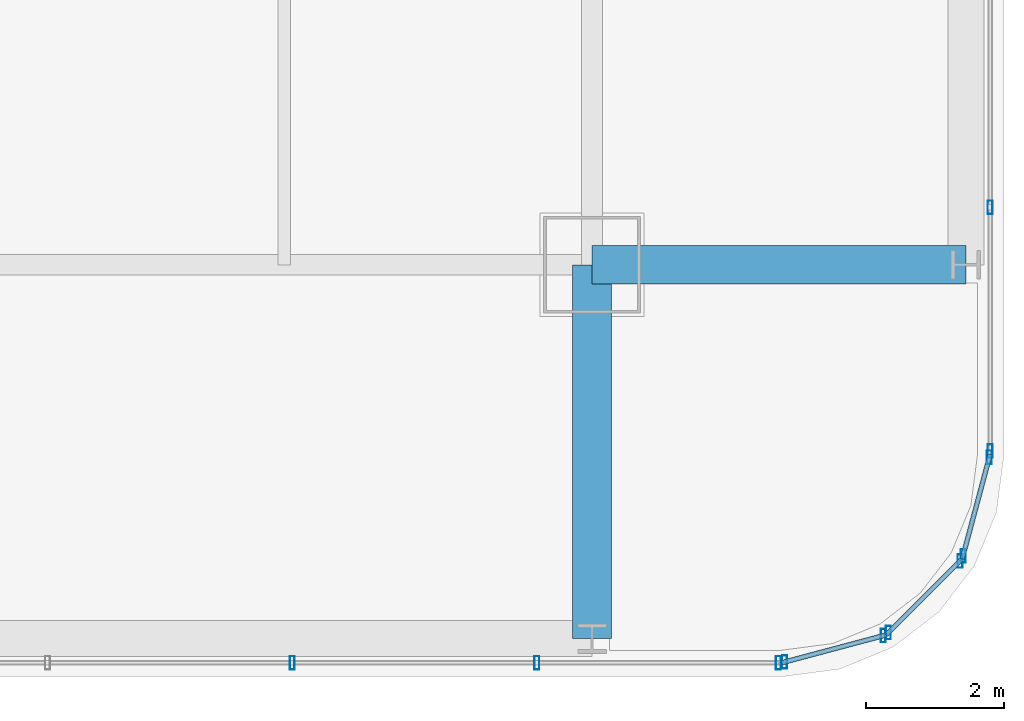
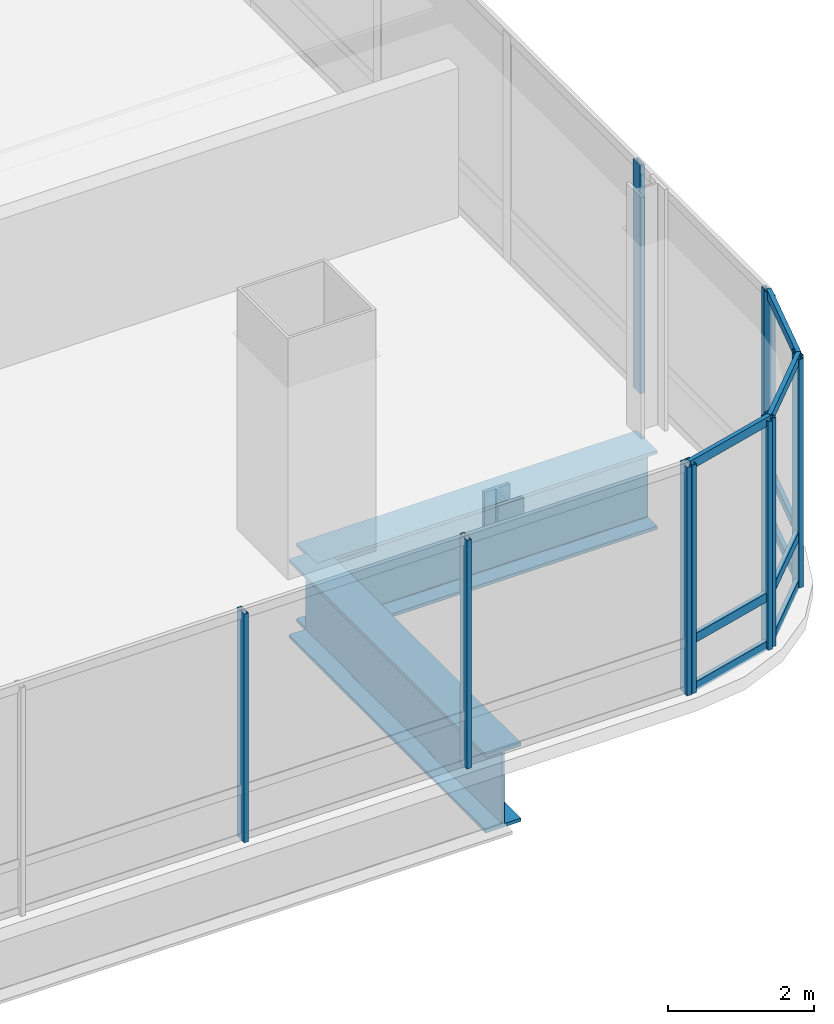
# One storey, part 13 of 35: 20 members, 2 beams, 5 elements without a shape of their own.
"""IFC4 building model written with IfcOpenShell, lengths in metres."""

from ifc_helpers import new_model, si_unit, direction, frame, origin, origin_2d, place, context, subcontext, project, spatial, hollow_rectangle, i_section, extrude, material, material_profile, profile_set, type_object, element, aggregate, save


model = new_model("IFC4")

# Units and contexts
model_context = context("Model", 3, precision=1e-05, world=origin(), true_north=direction((0.0, 1.0)))
body_context = subcontext(model_context, "Body", "Model", "MODEL_VIEW")
ifc_project = project(units=[si_unit("LENGTHUNIT", "METRE"), si_unit("AREAUNIT", "SQUARE_METRE"), si_unit("VOLUMEUNIT", "CUBIC_METRE"), si_unit("PLANEANGLEUNIT", "RADIAN"), si_unit("MASSUNIT", "GRAM", prefix="KILO")], contexts=[model_context])

# Site, building, storey
site_placement = place(None, origin())
site = spatial("IfcSite", under=ifc_project, at=site_placement, CompositionType="ELEMENT")
building_placement = place(site_placement, origin())
building = spatial("IfcBuilding", under=site, at=building_placement, Name="Punatoya Terracotta Tower", CompositionType="ELEMENT")
storey_placement = place(building_placement, frame((0.0, 0.0, 216.75)))
storey = spatial("IfcBuildingStorey", under=building, at=storey_placement, Name="L51", CompositionType="ELEMENT", Elevation=216.75)

# Beams
ifc_material_1 = material(Name="Steel S460", Category="steel")
ifc_material_profile_1 = material_profile(ifc_material_1, i_section(OverallWidth=0.56005859375, OverallDepth=1.320068359375, WebThickness=0.035888671875, FlangeThickness=0.054931640625, FilletRadius=0.01806640625, at=origin_2d()))
ifc_profile_set_1 = profile_set([ifc_material_profile_1], Name="Steel S460")
beam_type = type_object("IfcBeamType", Name="BM-TG-BLK", PredefinedType="BEAM", material=ifc_profile_set_1)
for number, where, z_axis, x_axis, name in (
    (1, (19.10009765625, -17.5, -0.8798828125), (1.0, 0.0, 0.0), (0.0, 1.0, 0.0), "BM-L51-CANT-E1"),
    (2, (19.10009765625, -22.89990234375, -0.8798828125), (0.0, 1.0, 0.0), (-1.0, 0.0, 0.0), "BM-L51-CANT-S4"),
):
    element("IfcBeam", number, at=place(storey_placement, frame(where, z_axis=z_axis, x_axis=x_axis)), inside=storey, type_object=beam_type, Name=name, PredefinedType="BEAM", context=body_context, shape_type="SweptSolid", body=[
        extrude(i_section(OverallWidth=0.56005859375, OverallDepth=1.320068359375, WebThickness=0.035888671875, FlangeThickness=0.054931640625, FilletRadius=0.01806640625, at=origin_2d()), origin(), (0.0, 0.0, 1.0), 5.39990234375),
    ])

# Curtain wall, members
ifc_material_2 = material(Name="Aluminium 6063-T6 + Double Low-E Glass", Category="aluminium")
curtain_wall_type = type_object("IfcCurtainWallType", Name="CW-M2", PredefinedType="NOTDEFINED", material=ifc_material_2)
curtain_wall_1_placement = place(storey_placement, origin())
curtain_wall_1 = element("IfcCurtainWall", 3, at=curtain_wall_1_placement, inside=storey, type_object=curtain_wall_type, Name="L51 Curtain Wall CW-L51-S01-1", PredefinedType="NOTDEFINED")
ifc_material_3 = material(Name="Aluminium 6063-T6", Category="aluminium")
ifc_material_profile_2 = material_profile(ifc_material_3, hollow_rectangle(XDim=0.072021484375, YDim=0.195068359375, WallThickness=0.00439453125, at=origin_2d()))
ifc_profile_set_2 = profile_set([ifc_material_profile_2], Name="Aluminium 6063-T6")
member_type_1 = type_object("IfcMemberType", Name="CW-MUL-M2", PredefinedType="MULLION", material=ifc_profile_set_2)
member_1_placement = place(storey_placement, frame((14.768798828125, -23.25, 0.0), z_axis=(0.0, 0.0, 1.0), x_axis=(1.0, 0.0, 0.0)))
member_1 = element("IfcMember", 4, at=member_1_placement, type_object=member_type_1, Name="CW-L51-S01-1 Mullion 09", PredefinedType="MULLION", context=body_context, shape_type="SweptSolid", body=[
    extrude(hollow_rectangle(XDim=0.072021484375, YDim=0.195068359375, WallThickness=0.00439453125, at=origin_2d()), origin(), (0.0, 0.0, 1.0), 3.830078125),
])
member_2_placement = place(storey_placement, frame((18.302978515625, -23.25, 0.0), z_axis=(0.0, 0.0, 1.0), x_axis=(1.0, 0.0, 0.0)))
member_2 = element("IfcMember", 5, at=member_2_placement, type_object=member_type_1, Name="CW-L51-S01-1 Mullion 10", PredefinedType="MULLION", context=body_context, shape_type="SweptSolid", body=[
    extrude(hollow_rectangle(XDim=0.072021484375, YDim=0.195068359375, WallThickness=0.00439453125, at=origin_2d()), origin(), (0.0, 0.0, 1.0), 3.830078125),
])
member_3_placement = place(storey_placement, frame((21.7919921875, -23.25, 0.0), z_axis=(0.0, 0.0, 1.0), x_axis=(1.0, 0.0, 0.0)))
member_3 = element("IfcMember", 6, at=member_3_placement, type_object=member_type_1, Name="CW-L51-S01-1 Mullion 11", PredefinedType="MULLION", context=body_context, shape_type="SweptSolid", body=[
    extrude(hollow_rectangle(XDim=0.072021484375, YDim=0.195068359375, WallThickness=0.00439453125, at=origin_2d()), origin(), (0.0, 0.0, 1.0), 3.830078125),
])
aggregate(curtain_wall_1, [member_1, member_2, member_3])

curtain_wall_2_placement = place(storey_placement, origin())
curtain_wall_2 = element("IfcCurtainWall", 7, at=curtain_wall_2_placement, inside=storey, type_object=curtain_wall_type, Name="L51 Curtain Wall CW-L51-CRN02", PredefinedType="NOTDEFINED")
member_4_placement = place(storey_placement, frame((21.88037109375, -23.23828125, 0.0), z_axis=(0.0, 0.0, 1.0), x_axis=(1.0, 0.0, 0.0)))
member_4 = element("IfcMember", 8, at=member_4_placement, type_object=member_type_1, Name="CW-L51-CRN02 Mullion 00", PredefinedType="MULLION", context=body_context, shape_type="SweptSolid", body=[
    extrude(hollow_rectangle(XDim=0.072021484375, YDim=0.195068359375, WallThickness=0.00439453125, at=origin_2d()), origin(), (0.0, 0.0, 1.0), 3.830078125),
])
member_5_placement = place(storey_placement, frame((23.3056640625, -22.858154296875, 0.0), z_axis=(0.0, 0.0, 1.0), x_axis=(1.0, 0.0, 0.0)))
member_5 = element("IfcMember", 9, at=member_5_placement, type_object=member_type_1, Name="CW-L51-CRN02 Mullion 01", PredefinedType="MULLION", context=body_context, shape_type="SweptSolid", body=[
    extrude(hollow_rectangle(XDim=0.072021484375, YDim=0.195068359375, WallThickness=0.00439453125, at=origin_2d()), origin(), (0.0, 0.0, 1.0), 3.830078125),
])

curtain_wall_3_placement = place(storey_placement, origin())
curtain_wall_3 = element("IfcCurtainWall", 10, at=curtain_wall_3_placement, inside=storey, type_object=curtain_wall_type, Name="L51 Curtain Wall CW-L51-CRN03", PredefinedType="NOTDEFINED")
member_6_placement = place(storey_placement, frame((23.380859375, -22.814697265625, 0.0), z_axis=(0.0, 0.0, 1.0), x_axis=(1.0, 0.0, 0.0)))
member_6 = element("IfcMember", 11, at=member_6_placement, type_object=member_type_1, Name="CW-L51-CRN03 Mullion 00", PredefinedType="MULLION", context=body_context, shape_type="SweptSolid", body=[
    extrude(hollow_rectangle(XDim=0.072021484375, YDim=0.195068359375, WallThickness=0.00439453125, at=origin_2d()), origin(), (0.0, 0.0, 1.0), 3.830078125),
])
member_7_placement = place(storey_placement, frame((24.414794921875, -21.781005859375, 0.0), z_axis=(0.0, 0.0, 1.0), x_axis=(1.0, 0.0, 0.0)))
member_7 = element("IfcMember", 12, at=member_7_placement, type_object=member_type_1, Name="CW-L51-CRN03 Mullion 01", PredefinedType="MULLION", context=body_context, shape_type="SweptSolid", body=[
    extrude(hollow_rectangle(XDim=0.072021484375, YDim=0.195068359375, WallThickness=0.00439453125, at=origin_2d()), origin(), (0.0, 0.0, 1.0), 3.830078125),
])

curtain_wall_4_placement = place(storey_placement, origin())
curtain_wall_4 = element("IfcCurtainWall", 13, at=curtain_wall_4_placement, inside=storey, type_object=curtain_wall_type, Name="L51 Curtain Wall CW-L51-CRN04", PredefinedType="NOTDEFINED")
member_8_placement = place(storey_placement, frame((24.458251953125, -21.70556640625, 0.0), z_axis=(0.0, 0.0, 1.0), x_axis=(1.0, 0.0, 0.0)))
member_8 = element("IfcMember", 14, at=member_8_placement, type_object=member_type_1, Name="CW-L51-CRN04 Mullion 00", PredefinedType="MULLION", context=body_context, shape_type="SweptSolid", body=[
    extrude(hollow_rectangle(XDim=0.072021484375, YDim=0.195068359375, WallThickness=0.00439453125, at=origin_2d()), origin(), (0.0, 0.0, 1.0), 3.830078125),
])
member_9_placement = place(storey_placement, frame((24.83837890625, -20.280517578125, 0.0), z_axis=(0.0, 0.0, 1.0), x_axis=(1.0, 0.0, 0.0)))
member_9 = element("IfcMember", 15, at=member_9_placement, type_object=member_type_1, Name="CW-L51-CRN04 Mullion 01", PredefinedType="MULLION", context=body_context, shape_type="SweptSolid", body=[
    extrude(hollow_rectangle(XDim=0.072021484375, YDim=0.195068359375, WallThickness=0.00439453125, at=origin_2d()), origin(), (0.0, 0.0, 1.0), 3.830078125),
])

curtain_wall_5_placement = place(storey_placement, origin())
curtain_wall_5 = element("IfcCurtainWall", 16, at=curtain_wall_5_placement, inside=storey, type_object=curtain_wall_type, Name="L51 Curtain Wall CW-L51-E05-1", PredefinedType="NOTDEFINED")
member_10_placement = place(storey_placement, frame((24.85009765625, -20.19189453125, 0.0), z_axis=(0.0, 0.0, 1.0), x_axis=(1.0, 0.0, 0.0)))
member_10 = element("IfcMember", 17, at=member_10_placement, type_object=member_type_1, Name="CW-L51-E05-1 Mullion 00", PredefinedType="MULLION", context=body_context, shape_type="SweptSolid", body=[
    extrude(hollow_rectangle(XDim=0.072021484375, YDim=0.195068359375, WallThickness=0.00439453125, at=origin_2d()), origin(), (0.0, 0.0, 1.0), 3.830078125),
])
member_11_placement = place(storey_placement, frame((24.85009765625, -16.66943359375, 0.0), z_axis=(0.0, 0.0, 1.0), x_axis=(1.0, 0.0, 0.0)))
member_11 = element("IfcMember", 18, at=member_11_placement, type_object=member_type_1, Name="CW-L51-E05-1 Mullion 01", PredefinedType="MULLION", context=body_context, shape_type="SweptSolid", body=[
    extrude(hollow_rectangle(XDim=0.072021484375, YDim=0.195068359375, WallThickness=0.00439453125, at=origin_2d()), origin(), (0.0, 0.0, 1.0), 3.830078125),
])
aggregate(curtain_wall_5, [member_10, member_11])

# Member
ifc_material_profile_3 = material_profile(ifc_material_3, hollow_rectangle(XDim=0.068115234375, YDim=0.14990234375, WallThickness=0.00390625, at=origin_2d()))
ifc_profile_set_3 = profile_set([ifc_material_profile_3], Name="Aluminium 6063-T6")
member_type_2 = type_object("IfcMemberType", Name="CW-TRN-TYP", PredefinedType="USERDEFINED", material=ifc_profile_set_3)
member_12_placement = place(storey_placement, frame((21.8369140625, -23.25, 0.0400390625), z_axis=(0.966224582397, 0.257701486942, 0.0), x_axis=(-0.257701486942, 0.966224582397, 0.0)))
member_12 = element("IfcMember", 19, at=member_12_placement, type_object=member_type_2, Name="CW-L51-CRN02 Transom 1", ObjectType="TRANSOM", PredefinedType="USERDEFINED", context=body_context, shape_type="SweptSolid", body=[
    extrude(hollow_rectangle(XDim=0.068115234375, YDim=0.14990234375, WallThickness=0.00390625, at=origin_2d()), origin(), (0.0, 0.0, 1.0), 1.565185546875),
])

member_13_placement = place(storey_placement, frame((21.8369140625, -23.25, 0.85009765625), z_axis=(0.966224582397, 0.257701486942, 0.0), x_axis=(-0.257701486942, 0.966224582397, 0.0)))
member_13 = element("IfcMember", 20, at=member_13_placement, type_object=member_type_2, Name="CW-L51-CRN02 Transom 2", ObjectType="TRANSOM", PredefinedType="USERDEFINED", context=body_context, shape_type="SweptSolid", body=[
    extrude(hollow_rectangle(XDim=0.068115234375, YDim=0.14990234375, WallThickness=0.00390625, at=origin_2d()), origin(), (0.0, 0.0, 1.0), 1.565185546875),
])

member_14_placement = place(storey_placement, frame((21.8369140625, -23.25, 3.7900390625), z_axis=(0.966224582397, 0.257701486942, 0.0), x_axis=(-0.257701486942, 0.966224582397, 0.0)))
member_14 = element("IfcMember", 21, at=member_14_placement, type_object=member_type_2, Name="CW-L51-CRN02 Transom 3", ObjectType="TRANSOM", PredefinedType="USERDEFINED", context=body_context, shape_type="SweptSolid", body=[
    extrude(hollow_rectangle(XDim=0.068115234375, YDim=0.14990234375, WallThickness=0.00390625, at=origin_2d()), origin(), (0.0, 0.0, 1.0), 1.565185546875),
])

aggregate(curtain_wall_2, [member_4, member_5, member_12, member_13, member_14])

member_15_placement = place(storey_placement, frame((23.34912109375, -22.8466796875, 0.0400390625), z_axis=(0.707028130747, 0.707185422879, 0.0), x_axis=(-0.707185422879, 0.707028130747, 0.0)))
member_15 = element("IfcMember", 22, at=member_15_placement, type_object=member_type_2, Name="CW-L51-CRN03 Transom 1", ObjectType="TRANSOM", PredefinedType="USERDEFINED", context=body_context, shape_type="SweptSolid", body=[
    extrude(hollow_rectangle(XDim=0.068115234375, YDim=0.14990234375, WallThickness=0.00390625, at=origin_2d()), origin(), (0.0, 0.0, 1.0), 1.55224609375),
])

member_16_placement = place(storey_placement, frame((23.34912109375, -22.8466796875, 0.85009765625), z_axis=(0.707028130747, 0.707185422879, 0.0), x_axis=(-0.707185422879, 0.707028130747, 0.0)))
member_16 = element("IfcMember", 23, at=member_16_placement, type_object=member_type_2, Name="CW-L51-CRN03 Transom 2", ObjectType="TRANSOM", PredefinedType="USERDEFINED", context=body_context, shape_type="SweptSolid", body=[
    extrude(hollow_rectangle(XDim=0.068115234375, YDim=0.14990234375, WallThickness=0.00390625, at=origin_2d()), origin(), (0.0, 0.0, 1.0), 1.55224609375),
])

member_17_placement = place(storey_placement, frame((23.34912109375, -22.8466796875, 3.7900390625), z_axis=(0.707028130747, 0.707185422879, 0.0), x_axis=(-0.707185422879, 0.707028130747, 0.0)))
member_17 = element("IfcMember", 24, at=member_17_placement, type_object=member_type_2, Name="CW-L51-CRN03 Transom 3", ObjectType="TRANSOM", PredefinedType="USERDEFINED", context=body_context, shape_type="SweptSolid", body=[
    extrude(hollow_rectangle(XDim=0.068115234375, YDim=0.14990234375, WallThickness=0.00390625, at=origin_2d()), origin(), (0.0, 0.0, 1.0), 1.55224609375),
])

aggregate(curtain_wall_3, [member_6, member_7, member_15, member_16, member_17])

member_18_placement = place(storey_placement, frame((24.446533203125, -21.7490234375, 0.0400390625), z_axis=(0.257847112249, 0.966185730957, 0.0), x_axis=(-0.966185730957, 0.257847112249, 0.0)))
member_18 = element("IfcMember", 25, at=member_18_placement, type_object=member_type_2, Name="CW-L51-CRN04 Transom 1", ObjectType="TRANSOM", PredefinedType="USERDEFINED", context=body_context, shape_type="SweptSolid", body=[
    extrude(hollow_rectangle(XDim=0.068115234375, YDim=0.14990234375, WallThickness=0.00390625, at=origin_2d()), origin(), (0.0, 0.0, 1.0), 1.565185546875),
])

member_19_placement = place(storey_placement, frame((24.446533203125, -21.7490234375, 0.85009765625), z_axis=(0.257847112249, 0.966185730957, 0.0), x_axis=(-0.966185730957, 0.257847112249, 0.0)))
member_19 = element("IfcMember", 26, at=member_19_placement, type_object=member_type_2, Name="CW-L51-CRN04 Transom 2", ObjectType="TRANSOM", PredefinedType="USERDEFINED", context=body_context, shape_type="SweptSolid", body=[
    extrude(hollow_rectangle(XDim=0.068115234375, YDim=0.14990234375, WallThickness=0.00390625, at=origin_2d()), origin(), (0.0, 0.0, 1.0), 1.565185546875),
])

member_20_placement = place(storey_placement, frame((24.446533203125, -21.7490234375, 3.7900390625), z_axis=(0.257847112249, 0.966185730957, 0.0), x_axis=(-0.966185730957, 0.257847112249, 0.0)))
member_20 = element("IfcMember", 27, at=member_20_placement, type_object=member_type_2, Name="CW-L51-CRN04 Transom 3", ObjectType="TRANSOM", PredefinedType="USERDEFINED", context=body_context, shape_type="SweptSolid", body=[
    extrude(hollow_rectangle(XDim=0.068115234375, YDim=0.14990234375, WallThickness=0.00390625, at=origin_2d()), origin(), (0.0, 0.0, 1.0), 1.565185546875),
])

aggregate(curtain_wall_4, [member_8, member_9, member_18, member_19, member_20])

save(model, "model.ifc")
